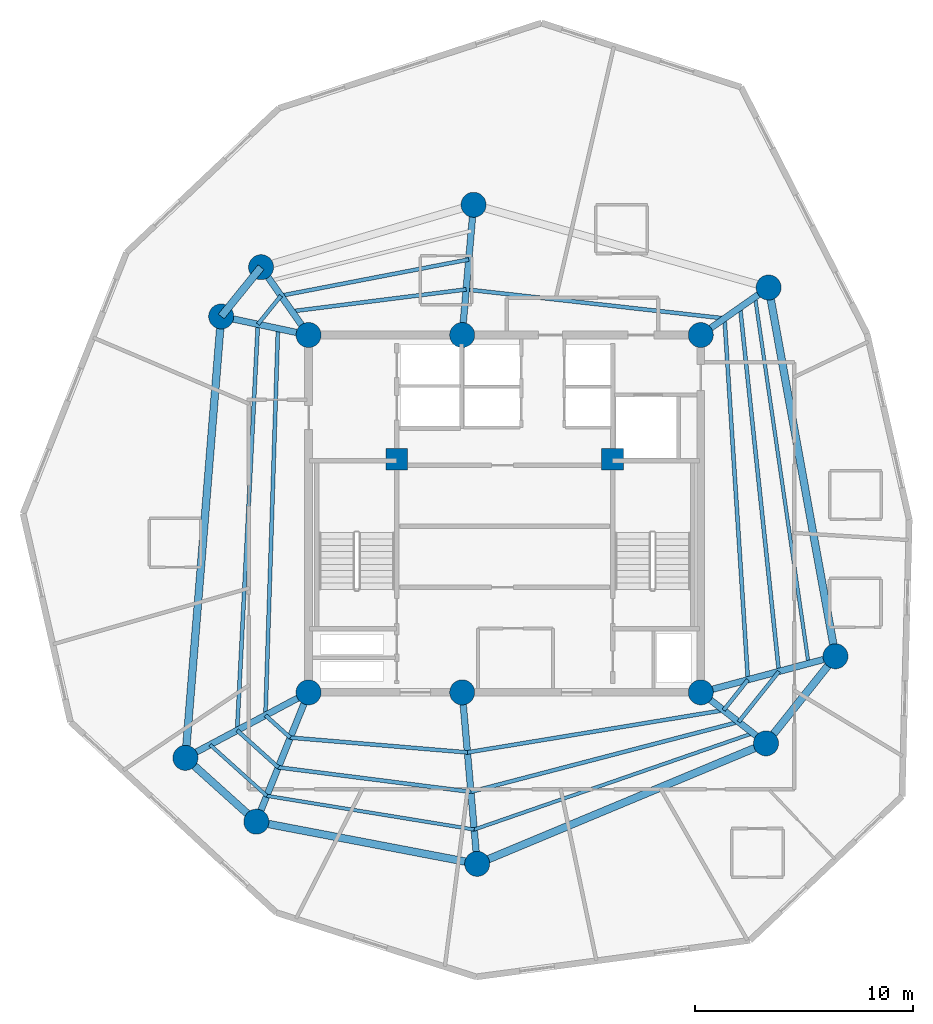
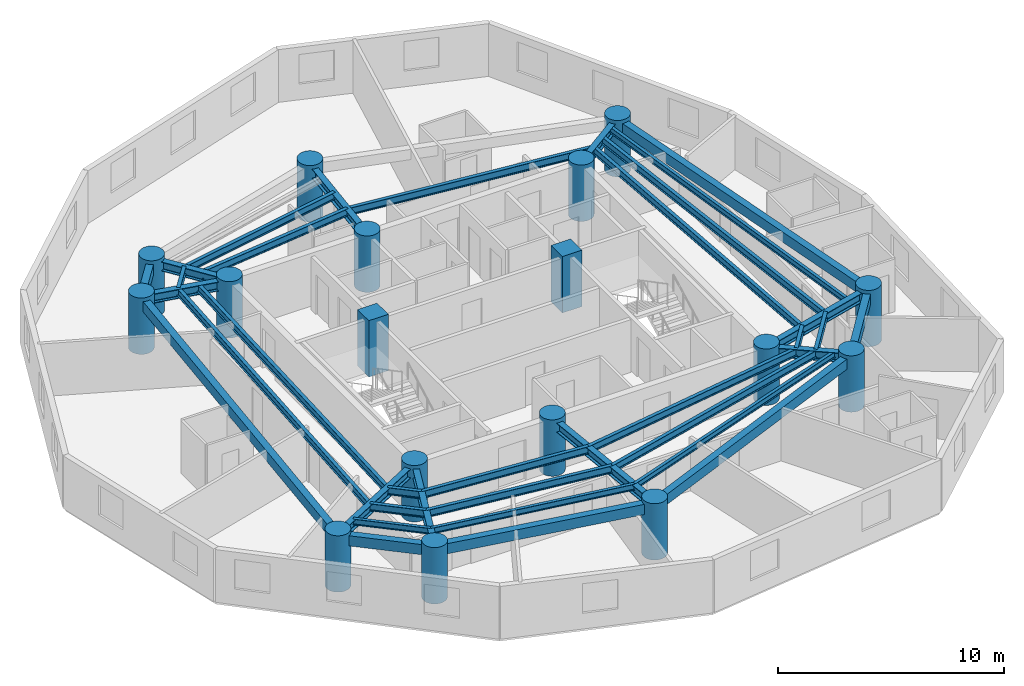
# One storey, part 1 of 7: 36 beams, 17 columns.
"""IFC4 building model written with IfcOpenShell, lengths in metres."""

from ifc_helpers import new_model, si_unit, direction, frame, origin, origin_with_axes, origin_2d, place, context, subcontext, project, spatial, rectangle, circle, i_section, extrude, source, transform, mapped, material, material_profile, profile_set, type_object, element, save


model = new_model("IFC4")

# Units and contexts
model_context = context("Model", 3, precision=1e-05, world=origin(), true_north=direction((0.0, 1.0)))
body_context = subcontext(model_context, "Body", "Model", "MODEL_VIEW")
ifc_project = project(units=[si_unit("LENGTHUNIT", "METRE"), si_unit("AREAUNIT", "SQUARE_METRE"), si_unit("VOLUMEUNIT", "CUBIC_METRE"), si_unit("PLANEANGLEUNIT", "RADIAN"), si_unit("MASSUNIT", "GRAM", prefix="KILO")], contexts=[model_context])

# Site, building, storey
site_placement = place(None, origin())
site = spatial("IfcSite", under=ifc_project, at=site_placement, CompositionType="ELEMENT")
building_placement = place(site_placement, origin())
building = spatial("IfcBuilding", under=site, at=building_placement, Name="Karkom Vertical University and Central Library", CompositionType="ELEMENT")
storey_placement = place(building_placement, frame((0.0, 0.0, 219.949951171875)))
storey = spatial("IfcBuildingStorey", under=building, at=storey_placement, Name="L64", CompositionType="ELEMENT", Elevation=219.949951171875)

# Columns
ifc_material_1 = material(Name="Concrete C50/60", Category="concrete")
ifc_material_profile_1 = material_profile(ifc_material_1, rectangle(XDim=1.0, YDim=1.0, at=origin_2d()), Name="RC-1000x1000")
ifc_profile_set_1 = profile_set([ifc_material_profile_1], Name="Concrete C50/60")
column_type_1 = type_object("IfcColumnType", Name="STR-COL-C-CC2", PredefinedType="COLUMN", material=ifc_profile_set_1)
shared_shape_1 = source(origin_with_axes(), body_context, "Body", "SweptSolid", [
    extrude(rectangle(XDim=1.0, YDim=1.0, at=origin_2d()), origin(), (0.0, 0.0, 1.0), 3.050048828125),
])
for number, where, z_axis, x_axis, name in (
    (1, (23.550048828125, 29.0, 0.0), (0.0, 0.0, 1.0), (1.0, 0.0, 0.0), "Level 64 Core Node Column CC-1"),
    (2, (33.449951171875, 29.0, 0.0), (0.0, 0.0, 1.0), (1.0, 0.0, 0.0), "Level 64 Core Node Column CC-2"),
):
    element("IfcColumn", number, at=place(storey_placement, frame(where, z_axis=z_axis, x_axis=x_axis)), inside=storey, type_object=column_type_1, Name=name, PredefinedType="COLUMN", context=body_context, shape_type="MappedRepresentation", body=[
        mapped(shared_shape_1, transform((0.0, 0.0, 0.0), scale=1.0)),
    ])
ifc_material_2 = material(Name="Concrete C45/55", Category="concrete")
ifc_material_profile_2 = material_profile(ifc_material_2, circle(Radius=0.574951171875, at=origin_2d()), Name="CFT-D1150")
ifc_profile_set_2 = profile_set([ifc_material_profile_2], Name="Concrete C45/55")
column_type_2 = type_object("IfcColumnType", Name="STR-COL-C-SC5", PredefinedType="COLUMN", material=ifc_profile_set_2)
shared_shape_2 = source(origin_with_axes(), body_context, "Body", "SweptSolid", [
    extrude(circle(Radius=0.574951171875, at=origin_2d()), origin(), (0.0, 0.0, 1.0), 3.050048828125),
])
for number, where, z_axis, x_axis, name in (
    (3, (19.5, 18.300048828125, 0.0), (0.0, 0.0, 1.0), (1.0, 0.0, 0.0), "Level 64 Spine Mega-Column SC-1"),
    (4, (26.550048828125, 18.300048828125, 0.0), (0.0, 0.0, 1.0), (1.0, 0.0, 0.0), "Level 64 Spine Mega-Column SC-2"),
    (5, (37.5, 18.300048828125, 0.0), (0.0, 0.0, 1.0), (1.0, 0.0, 0.0), "Level 64 Spine Mega-Column SC-3"),
    (6, (19.5, 34.699951171875, 0.0), (0.0, 0.0, 1.0), (1.0, 0.0, 0.0), "Level 64 Spine Mega-Column SC-4"),
    (7, (26.550048828125, 34.699951171875, 0.0), (0.0, 0.0, 1.0), (1.0, 0.0, 0.0), "Level 64 Spine Mega-Column SC-5"),
    (8, (37.5, 34.699951171875, 0.0), (0.0, 0.0, 1.0), (1.0, 0.0, 0.0), "Level 64 Spine Mega-Column SC-6"),
    (9, (43.681884765625, 19.9560546875, 0.0), (0.0, 0.0, 1.0), (1.0, 0.0, 0.0), "Level 64 Perimeter Mega-Column Z4-PC1"),
    (10, (40.613037109375, 36.8798828125, 0.0), (0.0, 0.0, 1.0), (1.0, 0.0, 0.0), "Level 64 Perimeter Mega-Column Z4-PC2"),
    (11, (27.072998046875, 40.677001953125, 0.0), (0.0, 0.0, 1.0), (1.0, 0.0, 0.0), "Level 64 Perimeter Mega-Column Z4-PC3"),
    (12, (17.320068359375, 37.81298828125, 0.0), (0.0, 0.0, 1.0), (1.0, 0.0, 0.0), "Level 64 Perimeter Mega-Column Z4-PC4"),
    (13, (15.489990234375, 35.552001953125, 0.0), (0.0, 0.0, 1.0), (1.0, 0.0, 0.0), "Level 64 Perimeter Mega-Column Z4-PC5"),
    (14, (13.84912109375, 15.294921875, 0.0), (0.0, 0.0, 1.0), (1.0, 0.0, 0.0), "Level 64 Perimeter Mega-Column Z4-PC6"),
    (15, (17.10302734375, 12.365966796875, 0.0), (0.0, 0.0, 1.0), (1.0, 0.0, 0.0), "Level 64 Perimeter Mega-Column Z4-PC7"),
    (16, (27.239013671875, 10.429931640625, 0.0), (0.0, 0.0, 1.0), (1.0, 0.0, 0.0), "Level 64 Perimeter Mega-Column Z4-PC8"),
    (17, (40.493896484375, 15.9599609375, 0.0), (0.0, 0.0, 1.0), (1.0, 0.0, 0.0), "Level 64 Perimeter Mega-Column Z4-PC9"),
):
    element("IfcColumn", number, at=place(storey_placement, frame(where, z_axis=z_axis, x_axis=x_axis)), inside=storey, type_object=column_type_2, Name=name, PredefinedType="COLUMN", context=body_context, shape_type="MappedRepresentation", body=[
        mapped(shared_shape_2, transform((0.0, 0.0, 0.0), scale=1.0)),
    ])

# Beams
ifc_material_3 = material(Name="Precast concrete C45/55", Category="concrete")
ifc_material_profile_3 = material_profile(ifc_material_3, rectangle(XDim=0.35009765625, YDim=0.550048828125, at=origin_2d()), Name="SPB-350x550")
ifc_profile_set_3 = profile_set([ifc_material_profile_3], Name="Precast concrete C45/55")
beam_type_1 = type_object("IfcBeamType", Name="STR-BM-SP-2", PredefinedType="SPANDREL", material=ifc_profile_set_3)
shared_shape_3 = source(origin_with_axes(), body_context, "Body", "SweptSolid", [
    extrude(rectangle(XDim=0.35009765625, YDim=0.550048828125, at=origin_2d()), origin(), (0.0, 0.0, 1.0), 17.19970703125),
])
beam_1_placement = place(storey_placement, frame((43.681884765625, 19.9560546875, 2.574951171875), z_axis=(-0.178423249727, 0.983953832228, 0.0), x_axis=(-0.983953832228, -0.178423249727, 0.0)))
element("IfcBeam", 18, at=beam_1_placement, inside=storey, type_object=beam_type_1, Name="Level 64 Perimeter Spandrel Beam 01", PredefinedType="SPANDREL", context=body_context, shape_type="MappedRepresentation", body=[
    mapped(shared_shape_3, transform((0.0, 0.0, 0.0), scale=1.0)),
])
shared_shape_4 = source(origin_with_axes(), body_context, "Body", "SweptSolid", [
    extrude(rectangle(XDim=0.35009765625, YDim=0.550048828125, at=origin_2d()), origin(), (0.0, 0.0, 1.0), 2.908935546875),
])
beam_2_placement = place(storey_placement, frame((17.320068359375, 37.81298828125, 2.574951171875), z_axis=(-0.629147523747, -0.777285914811, 0.0), x_axis=(0.777285914811, -0.629147523747, 0.0)))
element("IfcBeam", 19, at=beam_2_placement, inside=storey, type_object=beam_type_1, Name="Level 64 Perimeter Spandrel Beam 04", PredefinedType="SPANDREL", context=body_context, shape_type="MappedRepresentation", body=[
    mapped(shared_shape_4, transform((0.0, 0.0, 0.0), scale=1.0)),
])
shared_shape_5 = source(origin_with_axes(), body_context, "Body", "SweptSolid", [
    extrude(rectangle(XDim=0.35009765625, YDim=0.550048828125, at=origin_2d()), origin(), (0.0, 0.0, 1.0), 20.323486328125),
])
beam_3_placement = place(storey_placement, frame((15.489990234375, 35.552001953125, 2.574951171875), z_axis=(-0.080737811681, -0.996735373991, 0.0), x_axis=(0.996735373991, -0.080737811681, 0.0)))
element("IfcBeam", 20, at=beam_3_placement, inside=storey, type_object=beam_type_1, Name="Level 64 Perimeter Spandrel Beam 05", PredefinedType="SPANDREL", context=body_context, shape_type="MappedRepresentation", body=[
    mapped(shared_shape_5, transform((0.0, 0.0, 0.0), scale=1.0)),
])
shared_shape_6 = source(origin_with_axes(), body_context, "Body", "SweptSolid", [
    extrude(rectangle(XDim=0.35009765625, YDim=0.550048828125, at=origin_2d()), origin(), (0.0, 0.0, 1.0), 4.3779296875),
])
beam_4_placement = place(storey_placement, frame((13.84912109375, 15.294921875, 2.574951171875), z_axis=(0.743244232405, -0.669020187287, 0.0), x_axis=(0.669020187287, 0.743244232405, 0.0)))
element("IfcBeam", 21, at=beam_4_placement, inside=storey, type_object=beam_type_1, Name="Level 64 Perimeter Spandrel Beam 06", PredefinedType="SPANDREL", context=body_context, shape_type="MappedRepresentation", body=[
    mapped(shared_shape_6, transform((0.0, 0.0, 0.0), scale=1.0)),
])
shared_shape_7 = source(origin_with_axes(), body_context, "Body", "SweptSolid", [
    extrude(rectangle(XDim=0.35009765625, YDim=0.550048828125, at=origin_2d()), origin(), (0.0, 0.0, 1.0), 10.3193359375),
])
beam_5_placement = place(storey_placement, frame((17.10302734375, 12.365966796875, 2.574951171875), z_axis=(0.982242767385, -0.187614354249, 0.0), x_axis=(0.187614354249, 0.982242767385, 0.0)))
element("IfcBeam", 22, at=beam_5_placement, inside=storey, type_object=beam_type_1, Name="Level 64 Perimeter Spandrel Beam 07", PredefinedType="SPANDREL", context=body_context, shape_type="MappedRepresentation", body=[
    mapped(shared_shape_7, transform((0.0, 0.0, 0.0), scale=1.0)),
])
shared_shape_8 = source(origin_with_axes(), body_context, "Body", "SweptSolid", [
    extrude(rectangle(XDim=0.35009765625, YDim=0.550048828125, at=origin_2d()), origin(), (0.0, 0.0, 1.0), 14.3623046875),
])
beam_6_placement = place(storey_placement, frame((27.239013671875, 10.429931640625, 2.574951171875), z_axis=(0.922899796194, 0.385040213725, 0.0), x_axis=(-0.385040213725, 0.922899796194, 0.0)))
element("IfcBeam", 23, at=beam_6_placement, inside=storey, type_object=beam_type_1, Name="Level 64 Perimeter Spandrel Beam 08", PredefinedType="SPANDREL", context=body_context, shape_type="MappedRepresentation", body=[
    mapped(shared_shape_8, transform((0.0, 0.0, 0.0), scale=1.0)),
])
shared_shape_9 = source(origin_with_axes(), body_context, "Body", "SweptSolid", [
    extrude(rectangle(XDim=0.35009765625, YDim=0.550048828125, at=origin_2d()), origin(), (0.0, 0.0, 1.0), 5.112060546875),
])
beam_7_placement = place(storey_placement, frame((40.493896484375, 15.9599609375, 2.574951171875), z_axis=(0.623634459503, 0.78171609995, 0.0), x_axis=(-0.78171609995, 0.623634459503, 0.0)))
element("IfcBeam", 24, at=beam_7_placement, inside=storey, type_object=beam_type_1, Name="Level 64 Perimeter Spandrel Beam 09", PredefinedType="SPANDREL", context=body_context, shape_type="MappedRepresentation", body=[
    mapped(shared_shape_9, transform((0.0, 0.0, 0.0), scale=1.0)),
])
ifc_material_4 = material(Name="Steel S355", Category="steel")
ifc_material_profile_4 = material_profile(ifc_material_4, i_section(OverallWidth=0.179931640625, OverallDepth=0.39990234375, WebThickness=0.008544921875, FlangeThickness=0.013427734375, FilletRadius=0.02099609375, at=origin_2d()), Name="IPE 400")
ifc_profile_set_4 = profile_set([ifc_material_profile_4], Name="Steel S355")
beam_type_2 = type_object("IfcBeamType", Name="STR-BM-SB-IPE400", PredefinedType="BEAM", material=ifc_profile_set_4)
shared_shape_10 = source(origin_with_axes(), body_context, "Body", "SweptSolid", [
    extrude(i_section(OverallWidth=0.179931640625, OverallDepth=0.39990234375, WebThickness=0.008544921875, FlangeThickness=0.013427734375, FilletRadius=0.02099609375, at=origin_2d()), origin(), (0.0, 0.0, 1.0), 16.617919921875),
])
beam_8_placement = place(storey_placement, frame((39.663818359375, 18.879638671875, 2.650146484375), z_axis=(-0.064641848008, 0.997908528617, 0.0), x_axis=(-0.997908528617, -0.064641848008, 0.0)))
element("IfcBeam", 25, at=beam_8_placement, inside=storey, type_object=beam_type_2, Name="Level 64 Secondary Composite Floor Beam 1.01", PredefinedType="BEAM", context=body_context, shape_type="MappedRepresentation", body=[
    mapped(shared_shape_10, transform((0.0, 0.0, 0.0), scale=1.0)),
])
shared_shape_11 = source(origin_with_axes(), body_context, "Body", "SweptSolid", [
    extrude(i_section(OverallWidth=0.179931640625, OverallDepth=0.39990234375, WebThickness=0.008544921875, FlangeThickness=0.013427734375, FilletRadius=0.02099609375, at=origin_2d()), origin(), (0.0, 0.0, 1.0), 11.9306640625),
])
beam_9_placement = place(storey_placement, frame((38.589599609375, 35.462890625, 2.650146484375), z_axis=(-0.993775454886, 0.11140172919, 0.0), x_axis=(-0.11140172919, -0.993775454886, 0.0)))
element("IfcBeam", 26, at=beam_9_placement, inside=storey, type_object=beam_type_2, Name="Level 64 Secondary Composite Floor Beam 1.02", PredefinedType="BEAM", context=body_context, shape_type="MappedRepresentation", body=[
    mapped(shared_shape_11, transform((0.0, 0.0, 0.0), scale=1.0)),
])
shared_shape_12 = source(origin_with_axes(), body_context, "Body", "SweptSolid", [
    extrude(i_section(OverallWidth=0.179931640625, OverallDepth=0.39990234375, WebThickness=0.008544921875, FlangeThickness=0.013427734375, FilletRadius=0.02099609375, at=origin_2d()), origin(), (0.0, 0.0, 1.0), 8.05859375),
])
beam_10_placement = place(storey_placement, frame((26.733154296875, 36.7919921875, 2.650146484375), z_axis=(-0.99223306826, -0.124392677646, 0.0), x_axis=(0.124392677646, -0.99223306826, 0.0)))
element("IfcBeam", 27, at=beam_10_placement, inside=storey, type_object=beam_type_2, Name="Level 64 Secondary Composite Floor Beam 1.03", PredefinedType="BEAM", context=body_context, shape_type="MappedRepresentation", body=[
    mapped(shared_shape_12, transform((0.0, 0.0, 0.0), scale=1.0)),
])
shared_shape_13 = source(origin_with_axes(), body_context, "Body", "SweptSolid", [
    extrude(i_section(OverallWidth=0.179931640625, OverallDepth=0.39990234375, WebThickness=0.008544921875, FlangeThickness=0.013427734375, FilletRadius=0.02099609375, at=origin_2d()), origin(), (0.0, 0.0, 1.0), 17.75927734375),
])
beam_11_placement = place(storey_placement, frame((18.096435546875, 34.998291015625, 2.650146484375), z_axis=(-0.032333437334, -0.999477137723, 0.0), x_axis=(0.999477137723, -0.032333437334, 0.0)))
element("IfcBeam", 28, at=beam_11_placement, inside=storey, type_object=beam_type_2, Name="Level 64 Secondary Composite Floor Beam 1.05", PredefinedType="BEAM", context=body_context, shape_type="MappedRepresentation", body=[
    mapped(shared_shape_13, transform((0.0, 0.0, 0.0), scale=1.0)),
])
shared_shape_14 = source(origin_with_axes(), body_context, "Body", "SweptSolid", [
    extrude(i_section(OverallWidth=0.179931640625, OverallDepth=0.39990234375, WebThickness=0.008544921875, FlangeThickness=0.013427734375, FilletRadius=0.02099609375, at=origin_2d()), origin(), (0.0, 0.0, 1.0), 1.5322265625),
])
beam_12_placement = place(storey_placement, frame((17.522216796875, 17.248291015625, 2.650146484375), z_axis=(0.743183211059, -0.669087972392, 0.0), x_axis=(0.669087972392, 0.743183211059, 0.0)))
element("IfcBeam", 29, at=beam_12_placement, inside=storey, type_object=beam_type_2, Name="Level 64 Secondary Composite Floor Beam 1.06", PredefinedType="BEAM", context=body_context, shape_type="MappedRepresentation", body=[
    mapped(shared_shape_14, transform((0.0, 0.0, 0.0), scale=1.0)),
])
shared_shape_15 = source(origin_with_axes(), body_context, "Body", "SweptSolid", [
    extrude(i_section(OverallWidth=0.179931640625, OverallDepth=0.39990234375, WebThickness=0.008544921875, FlangeThickness=0.013427734375, FilletRadius=0.02099609375, at=origin_2d()), origin(), (0.0, 0.0, 1.0), 8.15869140625),
])
beam_13_placement = place(storey_placement, frame((18.660888671875, 16.22314453125, 2.650146484375), z_axis=(0.996543694183, -0.083070244882, 0.0), x_axis=(0.083070244882, 0.996543694183, 0.0)))
element("IfcBeam", 30, at=beam_13_placement, inside=storey, type_object=beam_type_2, Name="Level 64 Secondary Composite Floor Beam 1.07", PredefinedType="BEAM", context=body_context, shape_type="MappedRepresentation", body=[
    mapped(shared_shape_15, transform((0.0, 0.0, 0.0), scale=1.0)),
])
shared_shape_16 = source(origin_with_axes(), body_context, "Body", "SweptSolid", [
    extrude(i_section(OverallWidth=0.179931640625, OverallDepth=0.39990234375, WebThickness=0.008544921875, FlangeThickness=0.013427734375, FilletRadius=0.02099609375, at=origin_2d()), origin(), (0.0, 0.0, 1.0), 11.914794921875),
])
beam_14_placement = place(storey_placement, frame((26.791259765625, 15.54541015625, 2.650146484375), z_axis=(0.986717073469, 0.162448197663, 0.0), x_axis=(-0.162448197663, 0.986717073469, 0.0)))
element("IfcBeam", 31, at=beam_14_placement, inside=storey, type_object=beam_type_2, Name="Level 64 Secondary Composite Floor Beam 1.08", PredefinedType="BEAM", context=body_context, shape_type="MappedRepresentation", body=[
    mapped(shared_shape_16, transform((0.0, 0.0, 0.0), scale=1.0)),
])
shared_shape_17 = source(origin_with_axes(), body_context, "Body", "SweptSolid", [
    extrude(i_section(OverallWidth=0.179931640625, OverallDepth=0.39990234375, WebThickness=0.008544921875, FlangeThickness=0.013427734375, FilletRadius=0.02099609375, at=origin_2d()), origin(), (0.0, 0.0, 1.0), 1.789306640625),
])
beam_15_placement = place(storey_placement, frame((38.5478515625, 17.48095703125, 2.650146484375), z_axis=(0.623679519349, 0.781680150154, 0.0), x_axis=(-0.781680150154, 0.623679519349, 0.0)))
element("IfcBeam", 32, at=beam_15_placement, inside=storey, type_object=beam_type_2, Name="Level 64 Secondary Composite Floor Beam 1.09", PredefinedType="BEAM", context=body_context, shape_type="MappedRepresentation", body=[
    mapped(shared_shape_17, transform((0.0, 0.0, 0.0), scale=1.0)),
])
shared_shape_18 = source(origin_with_axes(), body_context, "Body", "SweptSolid", [
    extrude(i_section(OverallWidth=0.179931640625, OverallDepth=0.39990234375, WebThickness=0.008544921875, FlangeThickness=0.013427734375, FilletRadius=0.02099609375, at=origin_2d()), origin(), (0.0, 0.0, 1.0), 16.79833984375),
])
beam_16_placement = place(storey_placement, frame((41.085693359375, 19.260498046875, 2.650146484375), z_axis=(-0.105978377704, 0.994368434464, 0.0), x_axis=(-0.994368434464, -0.105978377704, 0.0)))
element("IfcBeam", 33, at=beam_16_placement, inside=storey, type_object=beam_type_2, Name="Level 64 Secondary Composite Floor Beam 2.01", PredefinedType="BEAM", context=body_context, shape_type="MappedRepresentation", body=[
    mapped(shared_shape_18, transform((0.0, 0.0, 0.0), scale=1.0)),
])
shared_shape_19 = source(origin_with_axes(), body_context, "Body", "SweptSolid", [
    extrude(i_section(OverallWidth=0.179931640625, OverallDepth=0.39990234375, WebThickness=0.008544921875, FlangeThickness=0.013427734375, FilletRadius=0.02099609375, at=origin_2d()), origin(), (0.0, 0.0, 1.0), 8.7763671875),
])
beam_17_placement = place(storey_placement, frame((26.853271484375, 38.166748046875, 2.650146484375), z_axis=(-0.981924209256, -0.189274528862, 0.0), x_axis=(0.189274528862, -0.981924209256, 0.0)))
element("IfcBeam", 34, at=beam_17_placement, inside=storey, type_object=beam_type_2, Name="Level 64 Secondary Composite Floor Beam 2.03", PredefinedType="BEAM", context=body_context, shape_type="MappedRepresentation", body=[
    mapped(shared_shape_19, transform((0.0, 0.0, 0.0), scale=1.0)),
])
shared_shape_20 = source(origin_with_axes(), body_context, "Body", "SweptSolid", [
    extrude(i_section(OverallWidth=0.179931640625, OverallDepth=0.39990234375, WebThickness=0.008544921875, FlangeThickness=0.013427734375, FilletRadius=0.02099609375, at=origin_2d()), origin(), (0.0, 0.0, 1.0), 1.68701171875),
])
beam_18_placement = place(storey_placement, frame((18.235595703125, 36.505615234375, 2.650146484375), z_axis=(-0.629044191861, -0.777369541908, 0.0), x_axis=(0.777369541908, -0.629044191861, 0.0)))
element("IfcBeam", 35, at=beam_18_placement, inside=storey, type_object=beam_type_2, Name="Level 64 Secondary Composite Floor Beam 2.04", PredefinedType="BEAM", context=body_context, shape_type="MappedRepresentation", body=[
    mapped(shared_shape_20, transform((0.0, 0.0, 0.0), scale=1.0)),
])
shared_shape_21 = source(origin_with_axes(), body_context, "Body", "SweptSolid", [
    extrude(i_section(OverallWidth=0.179931640625, OverallDepth=0.39990234375, WebThickness=0.008544921875, FlangeThickness=0.013427734375, FilletRadius=0.02099609375, at=origin_2d()), origin(), (0.0, 0.0, 1.0), 18.661376953125),
])
beam_19_placement = place(storey_placement, frame((17.17431640625, 35.194091796875, 2.650146484375), z_axis=(-0.051009656211, -0.998698160093, 0.0), x_axis=(0.998698160093, -0.051009656211, 0.0)))
element("IfcBeam", 36, at=beam_19_placement, inside=storey, type_object=beam_type_2, Name="Level 64 Secondary Composite Floor Beam 2.05", PredefinedType="BEAM", context=body_context, shape_type="MappedRepresentation", body=[
    mapped(shared_shape_21, transform((0.0, 0.0, 0.0), scale=1.0)),
])
shared_shape_22 = source(origin_with_axes(), body_context, "Body", "SweptSolid", [
    extrude(i_section(OverallWidth=0.179931640625, OverallDepth=0.39990234375, WebThickness=0.008544921875, FlangeThickness=0.013427734375, FilletRadius=0.02099609375, at=origin_2d()), origin(), (0.0, 0.0, 1.0), 2.5390625),
])
beam_20_placement = place(storey_placement, frame((16.222412109375, 16.55712890625, 2.650146484375), z_axis=(0.743246334517, -0.669017851949, 0.0), x_axis=(0.669017851949, 0.743246334517, 0.0)))
element("IfcBeam", 37, at=beam_20_placement, inside=storey, type_object=beam_type_2, Name="Level 64 Secondary Composite Floor Beam 2.06", PredefinedType="BEAM", context=body_context, shape_type="MappedRepresentation", body=[
    mapped(shared_shape_22, transform((0.0, 0.0, 0.0), scale=1.0)),
])
shared_shape_23 = source(origin_with_axes(), body_context, "Body", "SweptSolid", [
    extrude(i_section(OverallWidth=0.179931640625, OverallDepth=0.39990234375, WebThickness=0.008544921875, FlangeThickness=0.013427734375, FilletRadius=0.02099609375, at=origin_2d()), origin(), (0.0, 0.0, 1.0), 8.9111328125),
])
beam_21_placement = place(storey_placement, frame((18.109619140625, 14.8583984375, 2.650146484375), z_axis=(0.992026771403, -0.126027317751, 0.0), x_axis=(0.126027317751, 0.992026771403, 0.0)))
element("IfcBeam", 38, at=beam_21_placement, inside=storey, type_object=beam_type_2, Name="Level 64 Secondary Composite Floor Beam 2.07", PredefinedType="BEAM", context=body_context, shape_type="MappedRepresentation", body=[
    mapped(shared_shape_23, transform((0.0, 0.0, 0.0), scale=1.0)),
])
shared_shape_24 = source(origin_with_axes(), body_context, "Body", "SweptSolid", [
    extrude(i_section(OverallWidth=0.179931640625, OverallDepth=0.39990234375, WebThickness=0.008544921875, FlangeThickness=0.013427734375, FilletRadius=0.02099609375, at=origin_2d()), origin(), (0.0, 0.0, 1.0), 12.69873046875),
])
beam_22_placement = place(storey_placement, frame((26.94970703125, 13.7353515625, 2.650146484375), z_axis=(0.967573974729, 0.252587813301, 0.0), x_axis=(-0.252587813301, 0.967573974729, 0.0)))
element("IfcBeam", 39, at=beam_22_placement, inside=storey, type_object=beam_type_2, Name="Level 64 Secondary Composite Floor Beam 2.08", PredefinedType="BEAM", context=body_context, shape_type="MappedRepresentation", body=[
    mapped(shared_shape_24, transform((0.0, 0.0, 0.0), scale=1.0)),
])
shared_shape_25 = source(origin_with_axes(), body_context, "Body", "SweptSolid", [
    extrude(i_section(OverallWidth=0.179931640625, OverallDepth=0.39990234375, WebThickness=0.008544921875, FlangeThickness=0.013427734375, FilletRadius=0.02099609375, at=origin_2d()), origin(), (0.0, 0.0, 1.0), 2.96484375),
])
beam_23_placement = place(storey_placement, frame((39.236572265625, 16.94287109375, 2.650146484375), z_axis=(0.623670236397, 0.781687556657, 0.0), x_axis=(-0.781687556657, 0.623670236397, 0.0)))
element("IfcBeam", 40, at=beam_23_placement, inside=storey, type_object=beam_type_2, Name="Level 64 Secondary Composite Floor Beam 2.09", PredefinedType="BEAM", context=body_context, shape_type="MappedRepresentation", body=[
    mapped(shared_shape_25, transform((0.0, 0.0, 0.0), scale=1.0)),
])
ifc_material_profile_5 = material_profile(ifc_material_4, i_section(OverallWidth=0.159912109375, OverallDepth=0.330078125, WebThickness=0.007568359375, FlangeThickness=0.011474609375, FilletRadius=0.01806640625, at=origin_2d()), Name="IPE 330")
ifc_profile_set_5 = profile_set([ifc_material_profile_5], Name="Steel S355")
beam_type_3 = type_object("IfcBeamType", Name="STR-BM-SB-IPE330", PredefinedType="BEAM", material=ifc_profile_set_5)
shared_shape_26 = source(origin_with_axes(), body_context, "Body", "SweptSolid", [
    extrude(i_section(OverallWidth=0.159912109375, OverallDepth=0.330078125, WebThickness=0.007568359375, FlangeThickness=0.011474609375, FilletRadius=0.01806640625, at=origin_2d()), origin(), (0.0, 0.0, 1.0), 16.99755859375),
])
beam_24_placement = place(storey_placement, frame((42.445556640625, 19.624755859375, 2.68505859375), z_axis=(-0.144436985275, 0.98951400055, 0.0), x_axis=(-0.98951400055, -0.144436985275, 0.0)))
element("IfcBeam", 41, at=beam_24_placement, inside=storey, type_object=beam_type_3, Name="Level 64 Secondary Composite Floor Beam 3.01", PredefinedType="BEAM", context=body_context, shape_type="MappedRepresentation", body=[
    mapped(shared_shape_26, transform((0.0, 0.0, 0.0), scale=1.0)),
])
shared_shape_27 = source(origin_with_axes(), body_context, "Body", "SweptSolid", [
    extrude(i_section(OverallWidth=0.159912109375, OverallDepth=0.330078125, WebThickness=0.007568359375, FlangeThickness=0.011474609375, FilletRadius=0.01806640625, at=origin_2d()), origin(), (0.0, 0.0, 1.0), 3.50244140625),
])
beam_25_placement = place(storey_placement, frame((14.979248046875, 15.89599609375, 2.68505859375), z_axis=(0.743249087562, -0.669014793437, 0.0), x_axis=(0.669014793437, 0.743249087562, 0.0)))
element("IfcBeam", 42, at=beam_25_placement, inside=storey, type_object=beam_type_3, Name="Level 64 Secondary Composite Floor Beam 3.06", PredefinedType="BEAM", context=body_context, shape_type="MappedRepresentation", body=[
    mapped(shared_shape_27, transform((0.0, 0.0, 0.0), scale=1.0)),
])
shared_shape_28 = source(origin_with_axes(), body_context, "Body", "SweptSolid", [
    extrude(i_section(OverallWidth=0.159912109375, OverallDepth=0.330078125, WebThickness=0.007568359375, FlangeThickness=0.011474609375, FilletRadius=0.01806640625, at=origin_2d()), origin(), (0.0, 0.0, 1.0), 9.64404296875),
])
beam_26_placement = place(storey_placement, frame((17.58251953125, 13.552734375, 2.68505859375), z_axis=(0.987019497924, -0.160600469231, 0.0), x_axis=(0.160600469231, 0.987019497924, 0.0)))
element("IfcBeam", 43, at=beam_26_placement, inside=storey, type_object=beam_type_3, Name="Level 64 Secondary Composite Floor Beam 3.07", PredefinedType="BEAM", context=body_context, shape_type="MappedRepresentation", body=[
    mapped(shared_shape_28, transform((0.0, 0.0, 0.0), scale=1.0)),
])
shared_shape_29 = source(origin_with_axes(), body_context, "Body", "SweptSolid", [
    extrude(i_section(OverallWidth=0.159912109375, OverallDepth=0.330078125, WebThickness=0.007568359375, FlangeThickness=0.011474609375, FilletRadius=0.01806640625, at=origin_2d()), origin(), (0.0, 0.0, 1.0), 13.537353515625),
])
beam_27_placement = place(storey_placement, frame((27.101318359375, 12.00390625, 2.68505859375), z_axis=(0.945091088216, 0.32680703018, 0.0), x_axis=(-0.32680703018, 0.945091088216, 0.0)))
element("IfcBeam", 44, at=beam_27_placement, inside=storey, type_object=beam_type_3, Name="Level 64 Secondary Composite Floor Beam 3.08", PredefinedType="BEAM", context=body_context, shape_type="MappedRepresentation", body=[
    mapped(shared_shape_29, transform((0.0, 0.0, 0.0), scale=1.0)),
])
ifc_material_profile_6 = material_profile(ifc_material_4, i_section(OverallWidth=0.300048828125, OverallDepth=0.5, WebThickness=0.014404296875, FlangeThickness=0.028076171875, FilletRadius=0.027099609375, at=origin_2d()), Name="HE 500 B")
ifc_profile_set_6 = profile_set([ifc_material_profile_6], Name="Steel S355")
beam_type_4 = type_object("IfcBeamType", Name="STR-BM-SB-HE500", PredefinedType="USERDEFINED", material=ifc_profile_set_6)
shared_shape_30 = source(origin_with_axes(), body_context, "Body", "SweptSolid", [
    extrude(i_section(OverallWidth=0.300048828125, OverallDepth=0.5, WebThickness=0.014404296875, FlangeThickness=0.028076171875, FilletRadius=0.027099609375, at=origin_2d()), origin(), (0.0, 0.0, 1.0), 6.39990234375),
])
for number, where, z_axis, x_axis, name in (
    (45, (37.5, 18.300048828125, 2.60009765625), (0.965942432948, 0.258757060254, 0.0), (-0.258757060254, 0.965942432948, 0.0), "Level 64 Radial Frame Girder 01"),
    (46, (19.5, 18.300048828125, 2.60009765625), (-0.374532429749, -0.927213815183, 0.0), (0.927213815183, -0.374532429749, 0.0), "Level 64 Radial Frame Girder 07"),
):
    element("IfcBeam", number, at=place(storey_placement, frame(where, z_axis=z_axis, x_axis=x_axis)), inside=storey, type_object=beam_type_4, Name=name, ObjectType="GIRDER", PredefinedType="USERDEFINED", context=body_context, shape_type="MappedRepresentation", body=[
        mapped(shared_shape_30, transform((0.0, 0.0, 0.0), scale=1.0)),
    ])
shared_shape_31 = source(origin_with_axes(), body_context, "Body", "SweptSolid", [
    extrude(i_section(OverallWidth=0.300048828125, OverallDepth=0.5, WebThickness=0.014404296875, FlangeThickness=0.028076171875, FilletRadius=0.027099609375, at=origin_2d()), origin(), (0.0, 0.0, 1.0), 3.80029296875),
])
for number, where, z_axis, x_axis, name in (
    (47, (37.5, 34.699951171875, 2.60009765625), (0.819132313625, 0.573604613627, 0.0), (-0.573604613627, 0.819132313625, 0.0), "Level 64 Radial Frame Girder 02"),
    (48, (19.5, 34.699951171875, 2.60009765625), (-0.573604613627, 0.819132313625, 0.0), (-0.819132313625, -0.573604613627, 0.0), "Level 64 Radial Frame Girder 04"),
):
    element("IfcBeam", number, at=place(storey_placement, frame(where, z_axis=z_axis, x_axis=x_axis)), inside=storey, type_object=beam_type_4, Name=name, ObjectType="GIRDER", PredefinedType="USERDEFINED", context=body_context, shape_type="MappedRepresentation", body=[
        mapped(shared_shape_31, transform((0.0, 0.0, 0.0), scale=1.0)),
    ])
shared_shape_32 = source(origin_with_axes(), body_context, "Body", "SweptSolid", [
    extrude(i_section(OverallWidth=0.300048828125, OverallDepth=0.5, WebThickness=0.014404296875, FlangeThickness=0.028076171875, FilletRadius=0.027099609375, at=origin_2d()), origin(), (0.0, 0.0, 1.0), 6.0),
])
beam_28_placement = place(storey_placement, frame((26.550048828125, 34.699951171875, 2.60009765625), z_axis=(0.087159883478, 0.996194335816, 0.0), x_axis=(-0.996194335816, 0.087159883478, 0.0)))
element("IfcBeam", 49, at=beam_28_placement, inside=storey, type_object=beam_type_4, Name="Level 64 Radial Frame Girder 03", ObjectType="GIRDER", PredefinedType="USERDEFINED", context=body_context, shape_type="MappedRepresentation", body=[
    mapped(shared_shape_32, transform((0.0, 0.0, 0.0), scale=1.0)),
])
shared_shape_33 = source(origin_with_axes(), body_context, "Body", "SweptSolid", [
    extrude(i_section(OverallWidth=0.300048828125, OverallDepth=0.5, WebThickness=0.014404296875, FlangeThickness=0.028076171875, FilletRadius=0.027099609375, at=origin_2d()), origin(), (0.0, 0.0, 1.0), 4.099609375),
])
beam_29_placement = place(storey_placement, frame((19.5, 34.699951171875, 2.60009765625), z_axis=(-0.978162634602, 0.207840949453, 0.0), x_axis=(-0.207840949453, -0.978162634602, 0.0)))
element("IfcBeam", 50, at=beam_29_placement, inside=storey, type_object=beam_type_4, Name="Level 64 Radial Frame Girder 05", ObjectType="GIRDER", PredefinedType="USERDEFINED", context=body_context, shape_type="MappedRepresentation", body=[
    mapped(shared_shape_33, transform((0.0, 0.0, 0.0), scale=1.0)),
])
shared_shape_34 = source(origin_with_axes(), body_context, "Body", "SweptSolid", [
    extrude(i_section(OverallWidth=0.300048828125, OverallDepth=0.5, WebThickness=0.014404296875, FlangeThickness=0.028076171875, FilletRadius=0.027099609375, at=origin_2d()), origin(), (0.0, 0.0, 1.0), 6.400146484375),
])
beam_30_placement = place(storey_placement, frame((19.5, 18.300048828125, 2.60009765625), z_axis=(-0.882915120857, -0.469532628645, 0.0), x_axis=(0.469532628645, -0.882915120857, 0.0)))
element("IfcBeam", 51, at=beam_30_placement, inside=storey, type_object=beam_type_4, Name="Level 64 Radial Frame Girder 06", ObjectType="GIRDER", PredefinedType="USERDEFINED", context=body_context, shape_type="MappedRepresentation", body=[
    mapped(shared_shape_34, transform((0.0, 0.0, 0.0), scale=1.0)),
])
shared_shape_35 = source(origin_with_axes(), body_context, "Body", "SweptSolid", [
    extrude(i_section(OverallWidth=0.300048828125, OverallDepth=0.5, WebThickness=0.014404296875, FlangeThickness=0.028076171875, FilletRadius=0.027099609375, at=origin_2d()), origin(), (0.0, 0.0, 1.0), 7.900146484375),
])
beam_31_placement = place(storey_placement, frame((26.550048828125, 18.300048828125, 2.60009765625), z_axis=(0.087208352312, -0.996190093951, 0.0), x_axis=(0.996190093951, 0.087208352312, 0.0)))
element("IfcBeam", 52, at=beam_31_placement, inside=storey, type_object=beam_type_4, Name="Level 64 Radial Frame Girder 08", ObjectType="GIRDER", PredefinedType="USERDEFINED", context=body_context, shape_type="MappedRepresentation", body=[
    mapped(shared_shape_35, transform((0.0, 0.0, 0.0), scale=1.0)),
])
shared_shape_36 = source(origin_with_axes(), body_context, "Body", "SweptSolid", [
    extrude(i_section(OverallWidth=0.300048828125, OverallDepth=0.5, WebThickness=0.014404296875, FlangeThickness=0.028076171875, FilletRadius=0.027099609375, at=origin_2d()), origin(), (0.0, 0.0, 1.0), 3.7998046875),
])
beam_32_placement = place(storey_placement, frame((37.5, 18.300048828125, 2.60009765625), z_axis=(0.787883114707, -0.61582481077, 0.0), x_axis=(0.61582481077, 0.787883114707, 0.0)))
element("IfcBeam", 53, at=beam_32_placement, inside=storey, type_object=beam_type_4, Name="Level 64 Radial Frame Girder 09", ObjectType="GIRDER", PredefinedType="USERDEFINED", context=body_context, shape_type="MappedRepresentation", body=[
    mapped(shared_shape_36, transform((0.0, 0.0, 0.0), scale=1.0)),
])

save(model, "model.ifc")
